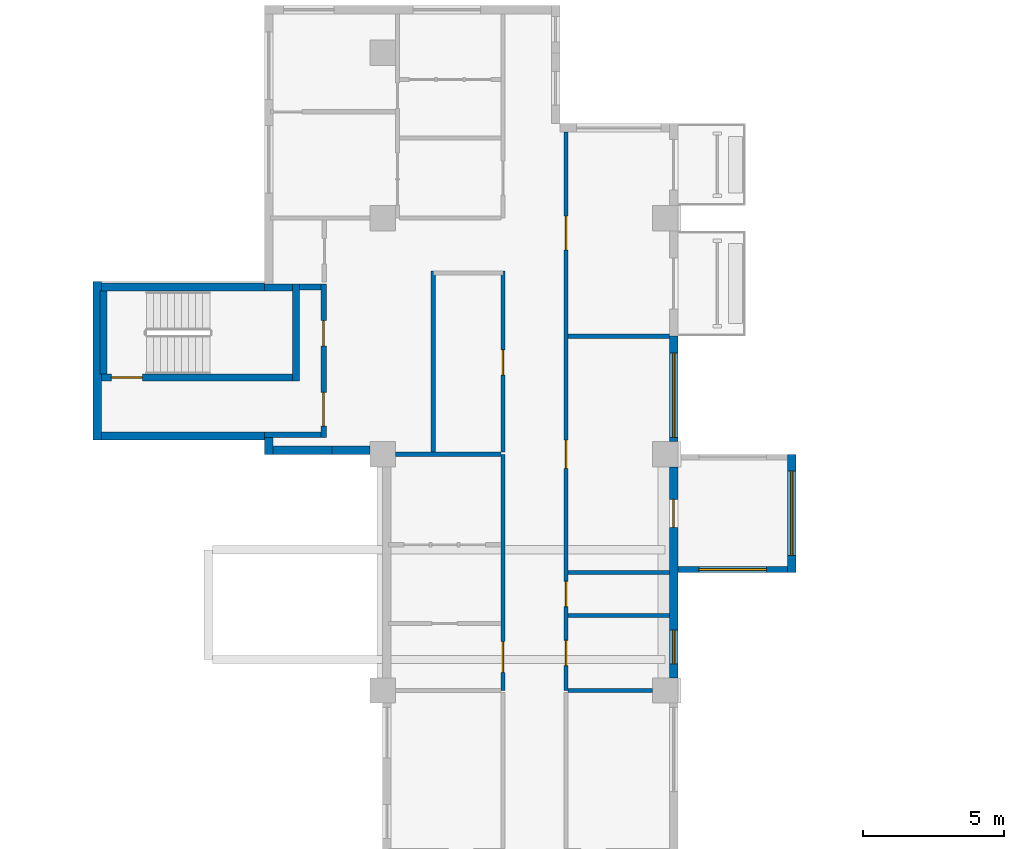
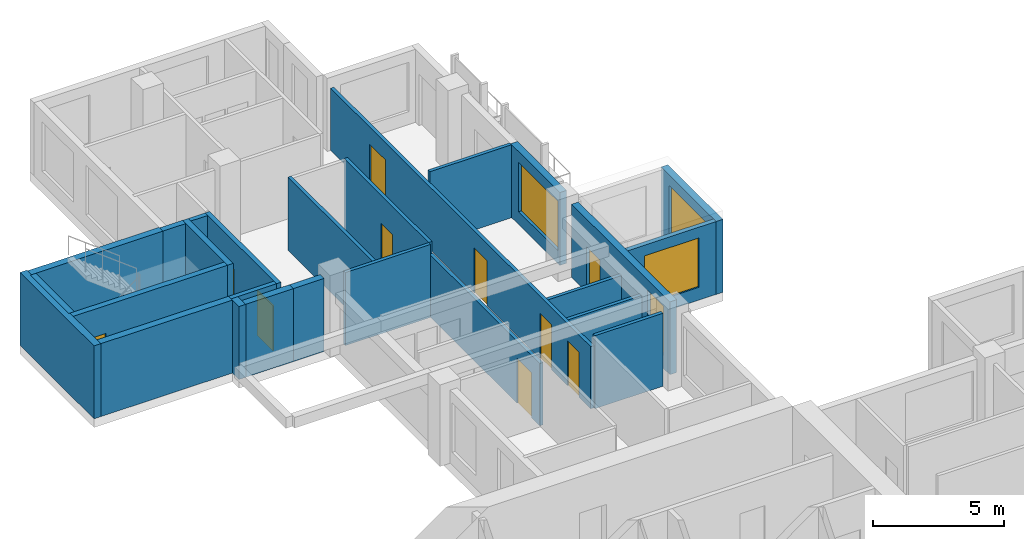
# One storey, part 7 of 13: 26 walls, 10 doors, 4 windows, 14 openings.
"""IFC4 building model written with IfcOpenShell, lengths in metres."""

from ifc_helpers import new_model, si_unit, direction, frame, frame_2d, origin, place, context, subcontext, project, spatial, rectangle, extrude, source, transform, mapped, material, layer, layer_set, type_object, element, fill, save


model = new_model("IFC4")

# Units and contexts
model_context = context("Model", 3, precision=1e-05, world=origin(), true_north=direction((0.0, 1.0)))
body_context = subcontext(model_context, "Body", "Model", "MODEL_VIEW")
ifc_project = project(units=[si_unit("LENGTHUNIT", "METRE"), si_unit("AREAUNIT", "SQUARE_METRE"), si_unit("VOLUMEUNIT", "CUBIC_METRE"), si_unit("PLANEANGLEUNIT", "RADIAN"), si_unit("MASSUNIT", "GRAM", prefix="KILO")], contexts=[model_context])

# Site, building, storey
site_placement = place(None, origin())
site = spatial("IfcSite", under=ifc_project, at=site_placement, CompositionType="ELEMENT")
building_placement = place(site_placement, origin())
building = spatial("IfcBuilding", under=site, at=building_placement, Name="Aurelian Terraces", CompositionType="ELEMENT")
storey_placement = place(building_placement, frame((0.0, 0.0, 193.0)))
storey = spatial("IfcBuildingStorey", under=building, at=storey_placement, Name="L42", CompositionType="ELEMENT", Elevation=193.0)

# Wall, openings, window, door
ifc_material_1 = material(Name="Terracotta rainscreen cladding", Category="masonry")
ifc_layer_1 = layer(ifc_material_1, 0.3)
ifc_layer_set_1 = layer_set([ifc_layer_1], Name="EW-300")
wall_type_1 = type_object("IfcWallType", Name="EW-300", PredefinedType="STANDARD", material=ifc_layer_set_1)
shared_shape_1 = source(origin(), body_context, "Body", "SweptSolid", [
    extrude(rectangle(XDim=7.5, YDim=0.3, at=frame_2d((3.75, 0.0))), origin(), (0.0, 0.0, 1.0), 3.4),
])
wall_1_placement = place(storey_placement, frame((20.85, 29.85, 0.0), z_axis=(0.0, 0.0, 1.0), x_axis=(0.0, 1.0, 0.0)))
wall_1 = element("IfcWall", 1, at=wall_1_placement, inside=storey, type_object=wall_type_1, Name="External wall L42 F08.20", PredefinedType="STANDARD", context=body_context, shape_type="MappedRepresentation", body=[
    mapped(shared_shape_1, transform((0.0, 0.0, 0.0), scale=1.0)),
])
shared_shape_2 = source(origin(), body_context, "Body", "SweptSolid", [
    extrude(rectangle(XDim=1.2, YDim=2.3, at=frame_2d((0.6, 1.15))), frame((0.0, 0.16, 0.0), z_axis=(0.0, -1.0, 0.0), x_axis=(1.0, 0.0, 0.0)), (0.0, 0.0, 1.0), 0.32),
])
opening_1_placement = place(wall_1_placement, frame((0.496, 0.0, 0.6)))
opening_1 = element("IfcOpeningElement", 2, at=opening_1_placement, cuts=wall_1, Name="Opening W1223", PredefinedType="OPENING", context=body_context, shape_type="MappedRepresentation", body=[
    mapped(shared_shape_2, transform((0.0, 0.0, 0.0), scale=1.0)),
])
shared_shape_3 = source(origin(), body_context, "Body", "SweptSolid", [
    extrude(rectangle(XDim=1.0, YDim=2.1, at=frame_2d((0.5, 1.05))), frame((0.0, 0.16, 0.0), z_axis=(0.0, -1.0, 0.0), x_axis=(1.0, 0.0, 0.0)), (0.0, 0.0, 1.0), 0.32),
])
opening_2_placement = place(wall_1_placement, frame((5.35, 0.0, 0.0)))
opening_2 = element("IfcOpeningElement", 3, at=opening_2_placement, cuts=wall_1, Name="Opening 842002", PredefinedType="OPENING", context=body_context, shape_type="MappedRepresentation", body=[
    mapped(shared_shape_3, transform((0.0, 0.0, 0.0), scale=1.0)),
])
ifc_material_2 = material(Name="Clear glazing", Category="glass")
window_type_1 = type_object("IfcWindowType", Name="W-1200x2300", PartitioningType="SINGLE_PANEL", PredefinedType="WINDOW", material=ifc_material_2)
shared_shape_4 = source(origin(), body_context, "Body", "SweptSolid", [
    extrude(rectangle(XDim=1.2, YDim=2.3, at=frame_2d((0.6, 1.15))), frame((0.0, 0.03, 0.0), z_axis=(0.0, -1.0, 0.0), x_axis=(1.0, 0.0, 0.0)), (0.0, 0.0, 1.0), 0.06),
])
window_1_placement = place(opening_1_placement, origin())
window_1 = element("IfcWindow", 4, at=window_1_placement, inside=storey, type_object=window_type_1, Name="Window L42 L42-F08-20-0", OverallHeight=2.3, OverallWidth=1.2, PartitioningType="SINGLE_PANEL", PredefinedType="WINDOW", context=body_context, shape_type="MappedRepresentation", body=[
    mapped(shared_shape_4, transform((0.0, 0.0, 0.0), scale=1.0)),
])
fill(opening_1, window_1)
ifc_material_3 = material(Name="Timber door leaf", Category="wood")
door_type_1 = type_object("IfcDoorType", Name="Room door 1000x2100 left", OperationType="SINGLE_SWING_LEFT", PredefinedType="DOOR", material=ifc_material_3)
shared_shape_5 = source(origin(), body_context, "Body", "SweptSolid", [
    extrude(rectangle(XDim=1.0, YDim=2.1, at=frame_2d((0.5, 1.05))), frame((0.0, 0.025, 0.0), z_axis=(0.0, -1.0, 0.0), x_axis=(1.0, 0.0, 0.0)), (0.0, 0.0, 1.0), 0.05),
])
door_1_placement = place(opening_2_placement, origin())
door_1 = element("IfcDoor", 5, at=door_1_placement, inside=storey, type_object=door_type_1, Name="Door 842002", OperationType="SINGLE_SWING_LEFT", OverallHeight=2.1, OverallWidth=1.0, PredefinedType="DOOR", context=body_context, shape_type="MappedRepresentation", body=[
    mapped(shared_shape_5, transform((0.0, 0.0, 0.0), scale=1.0)),
])
fill(opening_2, door_1)

# Wall, opening, window
shared_shape_6 = source(origin(), body_context, "Body", "SweptSolid", [
    extrude(rectangle(XDim=3.75, YDim=0.3, at=frame_2d((1.875, 0.0))), origin(), (0.0, 0.0, 1.0), 3.4),
])
wall_2_placement = place(storey_placement, frame((20.85, 38.25, 0.0), z_axis=(0.0, 0.0, 1.0), x_axis=(0.0, 1.0, 0.0)))
wall_2 = element("IfcWall", 6, at=wall_2_placement, inside=storey, type_object=wall_type_1, Name="External wall L42 F08.21", PredefinedType="STANDARD", context=body_context, shape_type="MappedRepresentation", body=[
    mapped(shared_shape_6, transform((0.0, 0.0, 0.0), scale=1.0)),
])
shared_shape_7 = source(origin(), body_context, "Body", "SweptSolid", [
    extrude(rectangle(XDim=3.0, YDim=2.3, at=frame_2d((1.5, 1.15))), frame((0.0, 0.16, 0.0), z_axis=(0.0, -1.0, 0.0), x_axis=(1.0, 0.0, 0.0)), (0.0, 0.0, 1.0), 0.32),
])
opening_3_placement = place(wall_2_placement, frame((0.15, 0.0, 0.6)))
opening_3 = element("IfcOpeningElement", 7, at=opening_3_placement, cuts=wall_2, Name="Opening W3023", PredefinedType="OPENING", context=body_context, shape_type="MappedRepresentation", body=[
    mapped(shared_shape_7, transform((0.0, 0.0, 0.0), scale=1.0)),
])
window_type_2 = type_object("IfcWindowType", Name="W-3000x2300", PartitioningType="SINGLE_PANEL", PredefinedType="WINDOW", material=ifc_material_2)
shared_shape_8 = source(origin(), body_context, "Body", "SweptSolid", [
    extrude(rectangle(XDim=3.0, YDim=2.3, at=frame_2d((1.5, 1.15))), frame((0.0, 0.03, 0.0), z_axis=(0.0, -1.0, 0.0), x_axis=(1.0, 0.0, 0.0)), (0.0, 0.0, 1.0), 0.06),
])
window_2_placement = place(opening_3_placement, origin())
window_2 = element("IfcWindow", 8, at=window_2_placement, inside=storey, type_object=window_type_2, Name="Window L42 L42-F08-21-0", OverallHeight=2.3, OverallWidth=3.0, PartitioningType="SINGLE_PANEL", PredefinedType="WINDOW", context=body_context, shape_type="MappedRepresentation", body=[
    mapped(shared_shape_8, transform((0.0, 0.0, 0.0), scale=1.0)),
])
fill(opening_3, window_2)

# Walls
ifc_material_4 = material(Name="Concrete fc' 40 MPa", Category="concrete")
ifc_layer_2 = layer(ifc_material_4, 0.3)
ifc_layer_set_2 = layer_set([ifc_layer_2], Name="STAIR BAY WALL 300")
wall_type_2 = type_object("IfcWallType", Name="STAIR BAY WALL 300", PredefinedType="SOLIDWALL", material=ifc_layer_set_2)
shared_shape_9 = source(origin(), body_context, "Body", "SweptSolid", [
    extrude(rectangle(XDim=6.1, YDim=0.3, at=frame_2d((3.05, 0.0))), origin(), (0.0, 0.0, 1.0), 3.4),
])
for number, where, z_axis, x_axis, name in (
    (9, (6.3, 43.75, 0.0), (0.0, 0.0, 1.0), (-1.0, 0.0, 0.0), "Stair bay wall L42 F13.29"),
    (10, (0.2, 38.45, 0.0), (0.0, 0.0, 1.0), (1.0, 0.0, 0.0), "Stair bay wall L42 F15.31"),
):
    element("IfcWall", number, at=place(storey_placement, frame(where, z_axis=z_axis, x_axis=x_axis)), inside=storey, type_object=wall_type_2, Name=name, PredefinedType="SOLIDWALL", context=body_context, shape_type="MappedRepresentation", body=[
        mapped(shared_shape_9, transform((0.0, 0.0, 0.0), scale=1.0)),
    ])

# Wall, opening, window
ifc_layer_3 = layer(ifc_material_4, 0.2)
ifc_layer_set_3 = layer_set([ifc_layer_3], Name="BOX BEARING WALL 200")
wall_type_3 = type_object("IfcWallType", Name="BOX BEARING WALL 200", PredefinedType="SOLIDWALL", material=ifc_layer_set_3)
shared_shape_10 = source(origin(), body_context, "Body", "SweptSolid", [
    extrude(rectangle(XDim=3.9, YDim=0.2, at=frame_2d((1.95, 0.0))), origin(), (0.0, 0.0, 1.0), 3.4),
])
wall_3_placement = place(storey_placement, frame((21.0, 33.7, 0.0), z_axis=(0.0, 0.0, 1.0), x_axis=(1.0, 0.0, 0.0)))
wall_3 = element("IfcWall", 11, at=wall_3_placement, inside=storey, type_object=wall_type_3, Name="Box return L42 J57.1", PredefinedType="SOLIDWALL", context=body_context, shape_type="MappedRepresentation", body=[
    mapped(shared_shape_10, transform((0.0, 0.0, 0.0), scale=1.0)),
])
shared_shape_11 = source(origin(), body_context, "Body", "SweptSolid", [
    extrude(rectangle(XDim=2.4, YDim=2.3, at=frame_2d((1.2, 1.15))), frame((0.0, 0.11, 0.0), z_axis=(0.0, -1.0, 0.0), x_axis=(1.0, 0.0, 0.0)), (0.0, 0.0, 1.0), 0.22),
])
opening_4_placement = place(wall_3_placement, frame((0.75, 0.0, 0.6)))
opening_4 = element("IfcOpeningElement", 12, at=opening_4_placement, cuts=wall_3, Name="Opening W2423", PredefinedType="OPENING", context=body_context, shape_type="MappedRepresentation", body=[
    mapped(shared_shape_11, transform((0.0, 0.0, 0.0), scale=1.0)),
])
window_type_3 = type_object("IfcWindowType", Name="W-2400x2300", PartitioningType="SINGLE_PANEL", PredefinedType="WINDOW", material=ifc_material_2)
shared_shape_12 = source(origin(), body_context, "Body", "SweptSolid", [
    extrude(rectangle(XDim=2.4, YDim=2.3, at=frame_2d((1.2, 1.15))), frame((0.0, 0.03, 0.0), z_axis=(0.0, -1.0, 0.0), x_axis=(1.0, 0.0, 0.0)), (0.0, 0.0, 1.0), 0.06),
])
window_3_placement = place(opening_4_placement, origin())
window_3 = element("IfcWindow", 13, at=window_3_placement, inside=storey, type_object=window_type_3, Name="Window L42 J57-S1", OverallHeight=2.3, OverallWidth=2.4, PartitioningType="SINGLE_PANEL", PredefinedType="WINDOW", context=body_context, shape_type="MappedRepresentation", body=[
    mapped(shared_shape_12, transform((0.0, 0.0, 0.0), scale=1.0)),
])
fill(opening_4, window_3)

ifc_layer_4 = layer(ifc_material_4, 0.3)
ifc_layer_set_4 = layer_set([ifc_layer_4], Name="BOX BEARING WALL 300")
wall_type_4 = type_object("IfcWallType", Name="BOX BEARING WALL 300", PredefinedType="SOLIDWALL", material=ifc_layer_set_4)
shared_shape_13 = source(origin(), body_context, "Body", "SweptSolid", [
    extrude(rectangle(XDim=4.2, YDim=0.3, at=frame_2d((2.1, 0.0))), origin(), (0.0, 0.0, 1.0), 3.4),
])
wall_4_placement = place(storey_placement, frame((25.05, 33.6, 0.0), z_axis=(0.0, 0.0, 1.0), x_axis=(0.0, 1.0, 0.0)))
wall_4 = element("IfcWall", 14, at=wall_4_placement, inside=storey, type_object=wall_type_4, Name="Box wall L42 J57", PredefinedType="SOLIDWALL", context=body_context, shape_type="MappedRepresentation", body=[
    mapped(shared_shape_13, transform((0.0, 0.0, 0.0), scale=1.0)),
])
opening_5_placement = place(wall_4_placement, frame((0.6, 0.0, 0.6)))
opening_5 = element("IfcOpeningElement", 15, at=opening_5_placement, cuts=wall_4, Name="Opening W3023", PredefinedType="OPENING", context=body_context, shape_type="MappedRepresentation", body=[
    mapped(shared_shape_7, transform((0.0, 0.0, 0.0), scale=1.0)),
])
window_4_placement = place(opening_5_placement, origin())
window_4 = element("IfcWindow", 16, at=window_4_placement, inside=storey, type_object=window_type_2, Name="Window L42 J57-F1", OverallHeight=2.3, OverallWidth=3.0, PartitioningType="SINGLE_PANEL", PredefinedType="WINDOW", context=body_context, shape_type="MappedRepresentation", body=[
    mapped(shared_shape_8, transform((0.0, 0.0, 0.0), scale=1.0)),
])
fill(opening_5, window_4)

# Walls
shared_shape_14 = source(origin(), body_context, "Body", "SweptSolid", [
    extrude(rectangle(XDim=5.65, YDim=0.3, at=frame_2d((2.825, 0.0))), origin(), (0.0, 0.0, 1.0), 3.4),
])
wall_5_placement = place(storey_placement, frame((0.35, 43.95, 0.0), z_axis=(0.0, 0.0, 1.0), x_axis=(0.0, -1.0, 0.0)))
element("IfcWall", 17, at=wall_5_placement, inside=storey, type_object=wall_type_2, Name="Stair bay wall L42 F14.30", PredefinedType="SOLIDWALL", context=body_context, shape_type="MappedRepresentation", body=[
    mapped(shared_shape_14, transform((0.0, 0.0, 0.0), scale=1.0)),
])
shared_shape_15 = source(origin(), body_context, "Body", "SweptSolid", [
    extrude(rectangle(XDim=0.6, YDim=0.3, at=frame_2d((0.3, 0.0))), origin(), (0.0, 0.0, 1.0), 3.4),
])
wall_6_placement = place(storey_placement, frame((6.45, 38.4, 0.0), z_axis=(0.0, 0.0, 1.0), x_axis=(0.0, -1.0, 0.0)))
element("IfcWall", 18, at=wall_6_placement, inside=storey, type_object=wall_type_1, Name="External wall L42 F16.32", PredefinedType="STANDARD", context=body_context, shape_type="MappedRepresentation", body=[
    mapped(shared_shape_15, transform((0.0, 0.0, 0.0), scale=1.0)),
])
shared_shape_16 = source(origin(), body_context, "Body", "SweptSolid", [
    extrude(rectangle(XDim=2.1, YDim=0.3, at=frame_2d((1.05, 0.0))), origin(), (0.0, 0.0, 1.0), 3.4),
])
wall_7_placement = place(storey_placement, frame((6.6, 37.95, 0.0), z_axis=(0.0, 0.0, 1.0), x_axis=(1.0, 0.0, 0.0)))
element("IfcWall", 19, at=wall_7_placement, inside=storey, type_object=wall_type_2, Name="Stair bay wall L42 F17.33", PredefinedType="SOLIDWALL", context=body_context, shape_type="MappedRepresentation", body=[
    mapped(shared_shape_16, transform((0.0, 0.0, 0.0), scale=1.0)),
])
shared_shape_17 = source(origin(), body_context, "Body", "SweptSolid", [
    extrude(rectangle(XDim=1.35, YDim=0.3, at=frame_2d((0.675, 0.0))), origin(), (0.0, 0.0, 1.0), 3.4),
])
wall_8_placement = place(storey_placement, frame((8.7, 37.95, 0.0), z_axis=(0.0, 0.0, 1.0), x_axis=(1.0, 0.0, 0.0)))
element("IfcWall", 20, at=wall_8_placement, inside=storey, type_object=wall_type_1, Name="External wall L42 F17.33", PredefinedType="STANDARD", context=body_context, shape_type="MappedRepresentation", body=[
    mapped(shared_shape_17, transform((0.0, 0.0, 0.0), scale=1.0)),
])

# Wall, opening, door
ifc_layer_5 = layer(ifc_material_4, 0.25)
ifc_layer_set_5 = layer_set([ifc_layer_5], Name="Stair enclosure wall 250")
wall_type_5 = type_object("IfcWallType", Name="Stair enclosure wall 250", PredefinedType="SOLIDWALL", material=ifc_layer_set_5)
shared_shape_18 = source(origin(), body_context, "Body", "SweptSolid", [
    extrude(rectangle(XDim=7.0, YDim=0.25, at=frame_2d((3.5, 0.0))), origin(), (0.0, 0.0, 1.0), 3.4),
])
wall_9_placement = place(storey_placement, frame((0.3, 40.525, 0.0), z_axis=(0.0, 0.0, 1.0), x_axis=(1.0, 0.0, 0.0)))
wall_9 = element("IfcWall", 21, at=wall_9_placement, inside=storey, type_object=wall_type_5, Name="L42 core wall ST-S3-W", PredefinedType="SOLIDWALL", context=body_context, shape_type="MappedRepresentation", body=[
    mapped(shared_shape_18, transform((0.0, 0.0, 0.0), scale=1.0)),
])
shared_shape_19 = source(origin(), body_context, "Body", "SweptSolid", [
    extrude(rectangle(XDim=1.1, YDim=2.1, at=frame_2d((0.55, 1.05))), frame((0.0, 0.135, 0.0), z_axis=(0.0, -1.0, 0.0), x_axis=(1.0, 0.0, 0.0)), (0.0, 0.0, 1.0), 0.27),
])
opening_6_placement = place(wall_9_placement, frame((0.55, 0.0, 0.0)))
opening_6 = element("IfcOpeningElement", 22, at=opening_6_placement, cuts=wall_9, Name="Opening 64520", PredefinedType="OPENING", context=body_context, shape_type="MappedRepresentation", body=[
    mapped(shared_shape_19, transform((0.0, 0.0, 0.0), scale=1.0)),
])
ifc_material_5 = material(Name="Steel door leaf", Category="steel")
door_type_2 = type_object("IfcDoorType", Name="Core fire door 1100x2100 right", OperationType="SINGLE_SWING_RIGHT", PredefinedType="DOOR", material=ifc_material_5)
shared_shape_20 = source(origin(), body_context, "Body", "SweptSolid", [
    extrude(rectangle(XDim=1.1, YDim=2.1, at=frame_2d((0.55, 1.05))), frame((0.0, 0.025, 0.0), z_axis=(0.0, -1.0, 0.0), x_axis=(1.0, 0.0, 0.0)), (0.0, 0.0, 1.0), 0.05),
])
door_2_placement = place(opening_6_placement, origin())
door_2 = element("IfcDoor", 23, at=door_2_placement, inside=storey, type_object=door_type_2, Name="Stair door 64520", OperationType="SINGLE_SWING_RIGHT", OverallHeight=2.1, OverallWidth=1.1, PredefinedType="DOOR", context=body_context, shape_type="MappedRepresentation", body=[
    mapped(shared_shape_20, transform((0.0, 0.0, 0.0), scale=1.0)),
])
fill(opening_6, door_2)

# Walls
shared_shape_21 = source(origin(), body_context, "Body", "SweptSolid", [
    extrude(rectangle(XDim=3.45, YDim=0.25, at=frame_2d((1.725, 0.0))), origin(), (0.0, 0.0, 1.0), 3.4),
])
wall_10_placement = place(storey_placement, frame((7.425, 40.4, 0.0), z_axis=(0.0, 0.0, 1.0), x_axis=(0.0, 1.0, 0.0)))
element("IfcWall", 24, at=wall_10_placement, inside=storey, type_object=wall_type_5, Name="L42 core wall ST-S3-N", PredefinedType="SOLIDWALL", context=body_context, shape_type="MappedRepresentation", body=[
    mapped(shared_shape_21, transform((0.0, 0.0, 0.0), scale=1.0)),
])
shared_shape_22 = source(origin(), body_context, "Body", "SweptSolid", [
    extrude(rectangle(XDim=2.95, YDim=0.25, at=frame_2d((1.475, 0.0))), origin(), (0.0, 0.0, 1.0), 3.4),
])
wall_11_placement = place(storey_placement, frame((0.575, 40.65, 0.0), z_axis=(0.0, 0.0, 1.0), x_axis=(0.0, 1.0, 0.0)))
element("IfcWall", 25, at=wall_11_placement, inside=storey, type_object=wall_type_5, Name="L42 core wall ST-S3-SS", PredefinedType="SOLIDWALL", context=body_context, shape_type="MappedRepresentation", body=[
    mapped(shared_shape_22, transform((0.0, 0.0, 0.0), scale=1.0)),
])

# Wall, openings, doors
ifc_material_6 = material(Name="Gypsum board on steel studs", Category="steel")
ifc_layer_6 = layer(ifc_material_6, 0.2)
ifc_layer_set_6 = layer_set([ifc_layer_6], Name="Core partition 200")
wall_type_6 = type_object("IfcWallType", Name="Core partition 200", PredefinedType="PARTITIONING", material=ifc_layer_set_6)
shared_shape_23 = source(origin(), body_context, "Body", "SweptSolid", [
    extrude(rectangle(XDim=5.45, YDim=0.2, at=frame_2d((2.725, 0.0))), origin(), (0.0, 0.0, 1.0), 3.4),
])
wall_12_placement = place(storey_placement, frame((8.4, 38.4, 0.0), z_axis=(0.0, 0.0, 1.0), x_axis=(0.0, 1.0, 0.0)))
wall_12 = element("IfcWall", 26, at=wall_12_placement, inside=storey, type_object=wall_type_6, Name="L42 core wall ST-S3-BN", PredefinedType="PARTITIONING", context=body_context, shape_type="MappedRepresentation", body=[
    mapped(shared_shape_23, transform((0.0, 0.0, 0.0), scale=1.0)),
])
shared_shape_24 = source(origin(), body_context, "Body", "SweptSolid", [
    extrude(rectangle(XDim=1.2, YDim=2.1, at=frame_2d((0.6, 1.05))), frame((0.0, 0.11, 0.0), z_axis=(0.0, -1.0, 0.0), x_axis=(1.0, 0.0, 0.0)), (0.0, 0.0, 1.0), 0.22),
])
opening_7_placement = place(wall_12_placement, frame((0.4, 0.0, 0.0)))
opening_7 = element("IfcOpeningElement", 27, at=opening_7_placement, cuts=wall_12, Name="Opening 64521", PredefinedType="OPENING", context=body_context, shape_type="MappedRepresentation", body=[
    mapped(shared_shape_24, transform((0.0, 0.0, 0.0), scale=1.0)),
])
shared_shape_25 = source(origin(), body_context, "Body", "SweptSolid", [
    extrude(rectangle(XDim=0.9, YDim=2.1, at=frame_2d((0.45, 1.05))), frame((0.0, 0.11, 0.0), z_axis=(0.0, -1.0, 0.0), x_axis=(1.0, 0.0, 0.0)), (0.0, 0.0, 1.0), 0.22),
])
opening_8_placement = place(wall_12_placement, frame((3.25, 0.0, 0.0)))
opening_8 = element("IfcOpeningElement", 28, at=opening_8_placement, cuts=wall_12, Name="Opening 64522", PredefinedType="OPENING", context=body_context, shape_type="MappedRepresentation", body=[
    mapped(shared_shape_25, transform((0.0, 0.0, 0.0), scale=1.0)),
])
door_type_3 = type_object("IfcDoorType", Name="Core riser door 900x2100 right", OperationType="SINGLE_SWING_RIGHT", PredefinedType="DOOR", material=ifc_material_5)
shared_shape_26 = source(origin(), body_context, "Body", "SweptSolid", [
    extrude(rectangle(XDim=0.9, YDim=2.1, at=frame_2d((0.45, 1.05))), frame((0.0, 0.025, 0.0), z_axis=(0.0, -1.0, 0.0), x_axis=(1.0, 0.0, 0.0)), (0.0, 0.0, 1.0), 0.05),
])
door_3_placement = place(opening_8_placement, origin())
door_3 = element("IfcDoor", 29, at=door_3_placement, inside=storey, type_object=door_type_3, Name="Riser door 64522", OperationType="SINGLE_SWING_RIGHT", OverallHeight=2.1, OverallWidth=0.9, PredefinedType="DOOR", context=body_context, shape_type="MappedRepresentation", body=[
    mapped(shared_shape_26, transform((0.0, 0.0, 0.0), scale=1.0)),
])
fill(opening_8, door_3)
door_type_4 = type_object("IfcDoorType", Name="Core fire door 1200x2100", OperationType="SINGLE_SWING_LEFT", PredefinedType="DOOR", material=ifc_material_5)
shared_shape_27 = source(origin(), body_context, "Body", "SweptSolid", [
    extrude(rectangle(XDim=1.2, YDim=2.1, at=frame_2d((0.6, 1.05))), frame((0.0, 0.025, 0.0), z_axis=(0.0, -1.0, 0.0), x_axis=(1.0, 0.0, 0.0)), (0.0, 0.0, 1.0), 0.05),
])
door_4_placement = place(opening_7_placement, origin())
door_4 = element("IfcDoor", 30, at=door_4_placement, inside=storey, type_object=door_type_4, Name="Vestibule door 64521", OperationType="SINGLE_SWING_LEFT", OverallHeight=2.1, OverallWidth=1.2, PredefinedType="DOOR", context=body_context, shape_type="MappedRepresentation", body=[
    mapped(shared_shape_27, transform((0.0, 0.0, 0.0), scale=1.0)),
])
fill(opening_7, door_4)

# Walls
shared_shape_28 = source(origin(), body_context, "Body", "SweptSolid", [
    extrude(rectangle(XDim=0.75, YDim=0.2, at=frame_2d((0.375, 0.0))), origin(), (0.0, 0.0, 1.0), 3.4),
])
wall_13_placement = place(storey_placement, frame((7.55, 43.75, 0.0), z_axis=(0.0, 0.0, 1.0), x_axis=(1.0, 0.0, 0.0)))
element("IfcWall", 31, at=wall_13_placement, inside=storey, type_object=wall_type_6, Name="L42 core wall ST-S3-RE", PredefinedType="PARTITIONING", context=body_context, shape_type="MappedRepresentation", body=[
    mapped(shared_shape_28, transform((0.0, 0.0, 0.0), scale=1.0)),
])
shared_shape_29 = source(origin(), body_context, "Body", "SweptSolid", [
    extrude(rectangle(XDim=1.0, YDim=0.25, at=frame_2d((0.5, 0.0))), origin(), (0.0, 0.0, 1.0), 3.4),
])
wall_14_placement = place(storey_placement, frame((6.3, 43.725, 0.0), z_axis=(0.0, 0.0, 1.0), x_axis=(1.0, 0.0, 0.0)))
element("IfcWall", 32, at=wall_14_placement, inside=storey, type_object=wall_type_5, Name="L42 core wall ST-S3-E", PredefinedType="SOLIDWALL", context=body_context, shape_type="MappedRepresentation", body=[
    mapped(shared_shape_29, transform((0.0, 0.0, 0.0), scale=1.0)),
])
shared_shape_30 = source(origin(), body_context, "Body", "SweptSolid", [
    extrude(rectangle(XDim=2.0, YDim=0.2, at=frame_2d((1.0, 0.0))), origin(), (0.0, 0.0, 1.0), 3.4),
])
wall_15_placement = place(storey_placement, frame((6.3, 38.5, 0.0), z_axis=(0.0, 0.0, 1.0), x_axis=(1.0, 0.0, 0.0)))
element("IfcWall", 33, at=wall_15_placement, inside=storey, type_object=wall_type_6, Name="L42 core wall ST-S3-VW", PredefinedType="PARTITIONING", context=body_context, shape_type="MappedRepresentation", body=[
    mapped(shared_shape_30, transform((0.0, 0.0, 0.0), scale=1.0)),
])
ifc_layer_7 = layer(ifc_material_6, 0.15)
ifc_layer_set_7 = layer_set([ifc_layer_7], Name="Partition 150")
wall_type_7 = type_object("IfcWallType", Name="Partition 150", PredefinedType="PARTITIONING", material=ifc_layer_set_7)
shared_shape_31 = source(origin(), body_context, "Body", "SweptSolid", [
    extrude(rectangle(XDim=6.45, YDim=0.15, at=frame_2d((3.225, 0.0))), origin(), (0.0, 0.0, 1.0), 3.4),
])
wall_16_placement = place(storey_placement, frame((12.3, 44.325, 0.0), z_axis=(0.0, 0.0, 1.0), x_axis=(0.0, -1.0, 0.0)))
element("IfcWall", 34, at=wall_16_placement, inside=storey, type_object=wall_type_7, Name="Partition", PredefinedType="PARTITIONING", context=body_context, shape_type="MappedRepresentation", body=[
    mapped(shared_shape_31, transform((0.0, 0.0, 0.0), scale=1.0)),
])

# Wall, opening, door
ifc_layer_8 = layer(ifc_material_6, 0.15)
ifc_layer_set_8 = layer_set([ifc_layer_8], Name="Fire partition 150")
wall_type_8 = type_object("IfcWallType", Name="Fire partition 150", PredefinedType="PARTITIONING", material=ifc_layer_set_8)
wall_17_placement = place(storey_placement, frame((14.775, 37.875, 0.0), z_axis=(0.0, 0.0, 1.0), x_axis=(0.0, 1.0, 0.0)))
wall_17 = element("IfcWall", 35, at=wall_17_placement, inside=storey, type_object=wall_type_8, Name="Corridor wall", PredefinedType="PARTITIONING", context=body_context, shape_type="MappedRepresentation", body=[
    mapped(shared_shape_31, transform((0.0, 0.0, 0.0), scale=1.0)),
])
shared_shape_32 = source(origin(), body_context, "Body", "SweptSolid", [
    extrude(rectangle(XDim=0.9, YDim=2.1, at=frame_2d((0.45, 1.05))), frame((0.0, 0.085, 0.0), z_axis=(0.0, -1.0, 0.0), x_axis=(1.0, 0.0, 0.0)), (0.0, 0.0, 1.0), 0.17),
])
opening_9_placement = place(wall_17_placement, frame((2.7375, 0.0, 0.0)))
opening_9 = element("IfcOpeningElement", 36, at=opening_9_placement, cuts=wall_17, Name="Opening 742021", PredefinedType="OPENING", context=body_context, shape_type="MappedRepresentation", body=[
    mapped(shared_shape_32, transform((0.0, 0.0, 0.0), scale=1.0)),
])
door_type_5 = type_object("IfcDoorType", Name="Room door 900x2100 right", OperationType="SINGLE_SWING_RIGHT", PredefinedType="DOOR", material=ifc_material_3)
door_5_placement = place(opening_9_placement, origin())
door_5 = element("IfcDoor", 37, at=door_5_placement, inside=storey, type_object=door_type_5, Name="Door 742021", OperationType="SINGLE_SWING_RIGHT", OverallHeight=2.1, OverallWidth=0.9, PredefinedType="DOOR", context=body_context, shape_type="MappedRepresentation", body=[
    mapped(shared_shape_26, transform((0.0, 0.0, 0.0), scale=1.0)),
])
fill(opening_9, door_5)

# Walls
shared_shape_33 = source(origin(), body_context, "Body", "SweptSolid", [
    extrude(rectangle(XDim=3.6, YDim=0.15, at=frame_2d((1.8, 0.0))), origin(), (0.0, 0.0, 1.0), 3.4),
])
wall_18_placement = place(storey_placement, frame((20.7, 42.0, 0.0), z_axis=(0.0, 0.0, 1.0), x_axis=(-1.0, 0.0, 0.0)))
element("IfcWall", 38, at=wall_18_placement, inside=storey, type_object=wall_type_8, Name="Party wall", PredefinedType="PARTITIONING", context=body_context, shape_type="MappedRepresentation", body=[
    mapped(shared_shape_33, transform((0.0, 0.0, 0.0), scale=1.0)),
])
shared_shape_34 = source(origin(), body_context, "Body", "SweptSolid", [
    extrude(rectangle(XDim=3.001, YDim=0.15, at=frame_2d((1.5005, 0.0))), origin(), (0.0, 0.0, 1.0), 3.4),
])
wall_19_placement = place(storey_placement, frame((20.101, 29.4, 0.0), z_axis=(0.0, 0.0, 1.0), x_axis=(-1.0, 0.0, 0.0)))
element("IfcWall", 39, at=wall_19_placement, inside=storey, type_object=wall_type_7, Name="Partition", PredefinedType="PARTITIONING", context=body_context, shape_type="MappedRepresentation", body=[
    mapped(shared_shape_34, transform((0.0, 0.0, 0.0), scale=1.0)),
])
shared_shape_35 = source(origin(), body_context, "Body", "SweptSolid", [
    extrude(rectangle(XDim=3.6, YDim=0.15, at=frame_2d((1.8, 0.0))), origin(), (0.0, 0.0, 1.0), 2.4),
])
wall_20_placement = place(storey_placement, frame((17.1, 32.067, 0.0), z_axis=(0.0, 0.0, 1.0), x_axis=(1.0, 0.0, 0.0)))
element("IfcWall", 40, at=wall_20_placement, inside=storey, type_object=wall_type_7, Name="Partition", PredefinedType="PARTITIONING", context=body_context, shape_type="MappedRepresentation", body=[
    mapped(shared_shape_35, transform((0.0, 0.0, 0.0), scale=1.0)),
])
wall_21_placement = place(storey_placement, frame((20.7, 33.6, 0.0), z_axis=(0.0, 0.0, 1.0), x_axis=(-1.0, 0.0, 0.0)))
element("IfcWall", 41, at=wall_21_placement, inside=storey, type_object=wall_type_8, Name="Party wall", PredefinedType="PARTITIONING", context=body_context, shape_type="MappedRepresentation", body=[
    mapped(shared_shape_35, transform((0.0, 0.0, 0.0), scale=1.0)),
])

# Wall, opening, door
shared_shape_36 = source(origin(), body_context, "Body", "SweptSolid", [
    extrude(rectangle(XDim=8.4, YDim=0.15, at=frame_2d((4.2, 0.0))), origin(), (0.0, 0.0, 1.0), 2.9),
])
wall_22_placement = place(storey_placement, frame((14.775, 29.4, 0.0), z_axis=(0.0, 0.0, 1.0), x_axis=(0.0, 1.0, 0.0)))
wall_22 = element("IfcWall", 42, at=wall_22_placement, inside=storey, type_object=wall_type_8, Name="Corridor wall", PredefinedType="PARTITIONING", context=body_context, shape_type="MappedRepresentation", body=[
    mapped(shared_shape_36, transform((0.0, 0.0, 0.0), scale=1.0)),
])
shared_shape_37 = source(origin(), body_context, "Body", "SweptSolid", [
    extrude(rectangle(XDim=1.1, YDim=2.1, at=frame_2d((0.55, 1.05))), frame((0.0, 0.085, 0.0), z_axis=(0.0, -1.0, 0.0), x_axis=(1.0, 0.0, 0.0)), (0.0, 0.0, 1.0), 0.17),
])
opening_10_placement = place(wall_22_placement, frame((0.6385, 0.0, 0.0)))
opening_10 = element("IfcOpeningElement", 43, at=opening_10_placement, cuts=wall_22, Name="Opening 742023", PredefinedType="OPENING", context=body_context, shape_type="MappedRepresentation", body=[
    mapped(shared_shape_37, transform((0.0, 0.0, 0.0), scale=1.0)),
])
door_type_6 = type_object("IfcDoorType", Name="Entrance fire door 1100x2100 left", OperationType="SINGLE_SWING_LEFT", PredefinedType="DOOR", material=ifc_material_5)
door_6_placement = place(opening_10_placement, origin())
door_6 = element("IfcDoor", 44, at=door_6_placement, inside=storey, type_object=door_type_6, Name="Door 742023", OperationType="SINGLE_SWING_LEFT", OverallHeight=2.1, OverallWidth=1.1, PredefinedType="DOOR", context=body_context, shape_type="MappedRepresentation", body=[
    mapped(shared_shape_20, transform((0.0, 0.0, 0.0), scale=1.0)),
])
fill(opening_10, door_6)

# Wall
shared_shape_38 = source(origin(), body_context, "Body", "SweptSolid", [
    extrude(rectangle(XDim=3.751, YDim=0.15, at=frame_2d((1.8755, 0.0))), origin(), (0.0, 0.0, 1.0), 3.4),
])
wall_23_placement = place(storey_placement, frame((14.7, 37.8, 0.0), z_axis=(0.0, 0.0, 1.0), x_axis=(-1.0, 0.0, 0.0)))
element("IfcWall", 45, at=wall_23_placement, inside=storey, type_object=wall_type_8, Name="Party wall", PredefinedType="PARTITIONING", context=body_context, shape_type="MappedRepresentation", body=[
    mapped(shared_shape_38, transform((0.0, 0.0, 0.0), scale=1.0)),
])

# Wall, openings, doors
shared_shape_39 = source(origin(), body_context, "Body", "SweptSolid", [
    extrude(rectangle(XDim=19.86, YDim=0.15, at=frame_2d((9.93, 0.0))), origin(), (0.0, 0.0, 1.0), 2.9),
])
wall_24_placement = place(storey_placement, frame((17.025, 49.26, 0.0), z_axis=(0.0, 0.0, 1.0), x_axis=(0.0, -1.0, 0.0)))
wall_24 = element("IfcWall", 46, at=wall_24_placement, inside=storey, type_object=wall_type_8, Name="Corridor wall", PredefinedType="PARTITIONING", context=body_context, shape_type="MappedRepresentation", body=[
    mapped(shared_shape_39, transform((0.0, 0.0, 0.0), scale=1.0)),
])
opening_11_placement = place(wall_24_placement, frame((18.0765, 0.0, 0.0)))
opening_11 = element("IfcOpeningElement", 47, at=opening_11_placement, cuts=wall_24, Name="Opening 742029", PredefinedType="OPENING", context=body_context, shape_type="MappedRepresentation", body=[
    mapped(shared_shape_32, transform((0.0, 0.0, 0.0), scale=1.0)),
])
opening_12_placement = place(wall_24_placement, frame((15.9765, 0.0, 0.0)))
opening_12 = element("IfcOpeningElement", 48, at=opening_12_placement, cuts=wall_24, Name="Opening 742030", PredefinedType="OPENING", context=body_context, shape_type="MappedRepresentation", body=[
    mapped(shared_shape_32, transform((0.0, 0.0, 0.0), scale=1.0)),
])
shared_shape_40 = source(origin(), body_context, "Body", "SweptSolid", [
    extrude(rectangle(XDim=1.0, YDim=2.1, at=frame_2d((0.5, 1.05))), frame((0.0, 0.085, 0.0), z_axis=(0.0, -1.0, 0.0), x_axis=(1.0, 0.0, 0.0)), (0.0, 0.0, 1.0), 0.17),
])
opening_13_placement = place(wall_24_placement, frame((10.96, 0.0, 0.0)))
opening_13 = element("IfcOpeningElement", 49, at=opening_13_placement, cuts=wall_24, Name="Opening 742031", PredefinedType="OPENING", context=body_context, shape_type="MappedRepresentation", body=[
    mapped(shared_shape_40, transform((0.0, 0.0, 0.0), scale=1.0)),
])
shared_shape_41 = source(origin(), body_context, "Body", "SweptSolid", [
    extrude(rectangle(XDim=1.2, YDim=2.1, at=frame_2d((0.6, 1.05))), frame((0.0, 0.085, 0.0), z_axis=(0.0, -1.0, 0.0), x_axis=(1.0, 0.0, 0.0)), (0.0, 0.0, 1.0), 0.17),
])
opening_14_placement = place(wall_24_placement, frame((2.9925, 0.0, 0.0)))
opening_14 = element("IfcOpeningElement", 50, at=opening_14_placement, cuts=wall_24, Name="Opening 742032", PredefinedType="OPENING", context=body_context, shape_type="MappedRepresentation", body=[
    mapped(shared_shape_41, transform((0.0, 0.0, 0.0), scale=1.0)),
])
door_type_7 = type_object("IfcDoorType", Name="Entrance fire door 1000x2100 left", OperationType="SINGLE_SWING_LEFT", PredefinedType="DOOR", material=ifc_material_5)
door_7_placement = place(opening_13_placement, origin())
door_7 = element("IfcDoor", 51, at=door_7_placement, inside=storey, type_object=door_type_7, Name="Door 742031", OperationType="SINGLE_SWING_LEFT", OverallHeight=2.1, OverallWidth=1.0, PredefinedType="DOOR", context=body_context, shape_type="MappedRepresentation", body=[
    mapped(shared_shape_5, transform((0.0, 0.0, 0.0), scale=1.0)),
])
fill(opening_13, door_7)
door_type_8 = type_object("IfcDoorType", Name="Entrance fire door 900x2100 left", OperationType="SINGLE_SWING_LEFT", PredefinedType="DOOR", material=ifc_material_5)
door_8_placement = place(opening_11_placement, origin())
door_8 = element("IfcDoor", 52, at=door_8_placement, inside=storey, type_object=door_type_8, Name="Door 742029", OperationType="SINGLE_SWING_LEFT", OverallHeight=2.1, OverallWidth=0.9, PredefinedType="DOOR", context=body_context, shape_type="MappedRepresentation", body=[
    mapped(shared_shape_26, transform((0.0, 0.0, 0.0), scale=1.0)),
])
fill(opening_11, door_8)
door_type_9 = type_object("IfcDoorType", Name="Entrance fire door 900x2100 right", OperationType="SINGLE_SWING_RIGHT", PredefinedType="DOOR", material=ifc_material_5)
door_9_placement = place(opening_12_placement, origin())
door_9 = element("IfcDoor", 53, at=door_9_placement, inside=storey, type_object=door_type_9, Name="Door 742030", OperationType="SINGLE_SWING_RIGHT", OverallHeight=2.1, OverallWidth=0.9, PredefinedType="DOOR", context=body_context, shape_type="MappedRepresentation", body=[
    mapped(shared_shape_26, transform((0.0, 0.0, 0.0), scale=1.0)),
])
fill(opening_12, door_9)
door_type_10 = type_object("IfcDoorType", Name="Entrance fire door 1200x2100 left", OperationType="SINGLE_SWING_LEFT", PredefinedType="DOOR", material=ifc_material_5)
door_10_placement = place(opening_14_placement, origin())
door_10 = element("IfcDoor", 54, at=door_10_placement, inside=storey, type_object=door_type_10, Name="Door 742032", OperationType="SINGLE_SWING_LEFT", OverallHeight=2.1, OverallWidth=1.2, PredefinedType="DOOR", context=body_context, shape_type="MappedRepresentation", body=[
    mapped(shared_shape_27, transform((0.0, 0.0, 0.0), scale=1.0)),
])
fill(opening_14, door_10)

save(model, "model.ifc")
